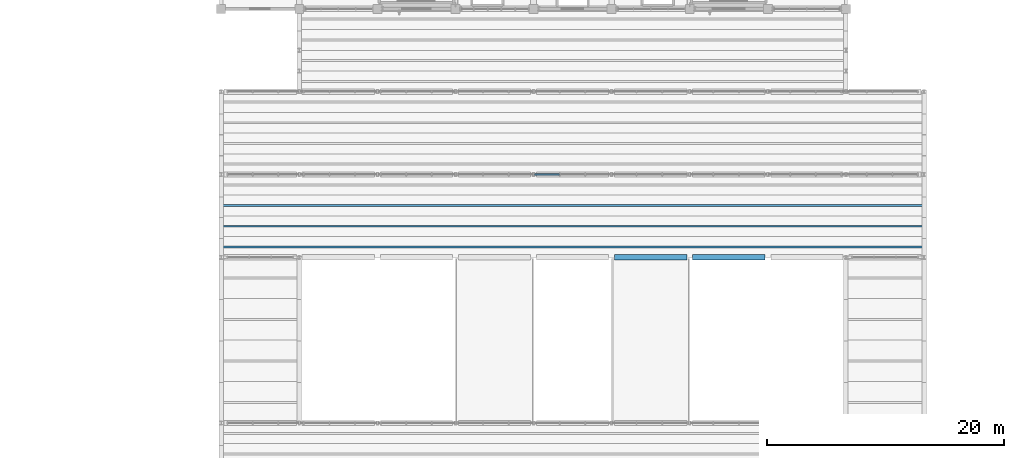
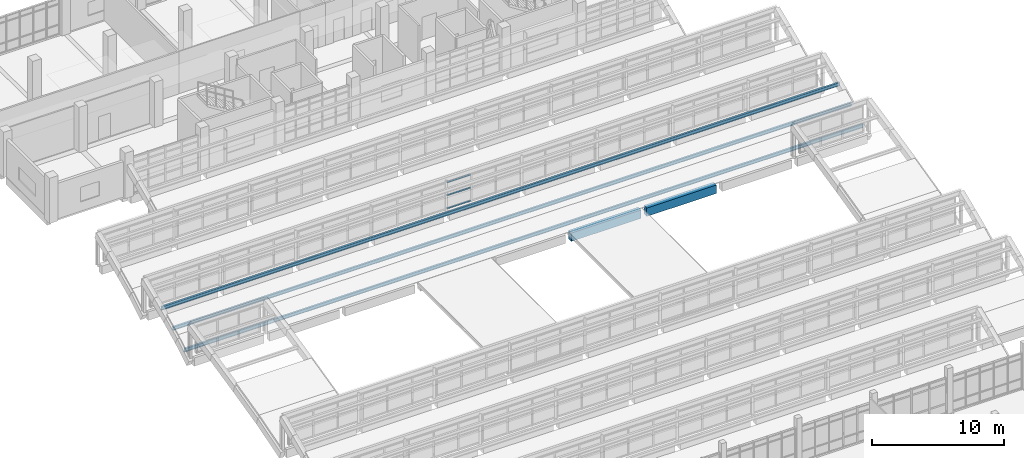
# One storey, part 41 of 92: 6 members, 2 beams, 1 element without a shape of its own.
"""IFC4 building model written with IfcOpenShell, lengths in metres."""

from ifc_helpers import new_model, si_unit, direction, frame, origin, origin_2d, place, context, subcontext, project, spatial, rectangle, i_section, extrude, material, material_profile, profile_set, type_object, element, aggregate, save


model = new_model("IFC4")

# Units and contexts
model_context = context("Model", 3, precision=1e-05, world=origin(), true_north=direction((0.0, 1.0)))
body_context = subcontext(model_context, "Body", "Model", "MODEL_VIEW")
ifc_project = project(units=[si_unit("LENGTHUNIT", "METRE"), si_unit("AREAUNIT", "SQUARE_METRE"), si_unit("VOLUMEUNIT", "CUBIC_METRE"), si_unit("PLANEANGLEUNIT", "RADIAN"), si_unit("MASSUNIT", "GRAM", prefix="KILO")], contexts=[model_context])

# Site, building, storey
site_placement = place(None, origin())
site = spatial("IfcSite", under=ifc_project, at=site_placement, CompositionType="ELEMENT")
building_placement = place(site_placement, origin())
building = spatial("IfcBuilding", under=site, at=building_placement, Name="Ciguamira Faculty of Natural Sciences", CompositionType="ELEMENT")
storey_placement = place(building_placement, frame((0.0, 0.0, 16.800048828125)))
storey = spatial("IfcBuildingStorey", under=building, at=storey_placement, Name="L04", CompositionType="ELEMENT", Elevation=16.800048828125)

# Curtain wall, members
ifc_material_1 = material(Name="Anodized aluminium curtain wall", Category="aluminium")
curtain_wall_type = type_object("IfcCurtainWallType", Name="CurtainWall_CW-07", PredefinedType="USERDEFINED", material=ifc_material_1)
curtain_wall_placement = place(storey_placement, origin())
curtain_wall = element("IfcCurtainWall", 1, at=curtain_wall_placement, inside=storey, type_object=curtain_wall_type, Name="V4 north-light wave 5 clerestory glazing 1", ObjectType="UNITISED CURTAIN WALL", PredefinedType="USERDEFINED")
ifc_material_2 = material(Name="Anodized aluminium transom", Category="aluminium")
ifc_material_profile_1 = material_profile(ifc_material_2, rectangle(XDim=0.070068359375, YDim=0.139892578125, at=origin_2d()), Name="ALU-TRN-70X140")
ifc_profile_set_1 = profile_set([ifc_material_profile_1], Name="Anodized aluminium transom")
member_type_1 = type_object("IfcMemberType", Name="CWTransom_CWT-02", PredefinedType="USERDEFINED", material=ifc_profile_set_1)
member_1_placement = place(storey_placement, frame((83.79052734375, 80.0, 0.284912109375), z_axis=(1.0, 0.0, 0.0), x_axis=(0.0, 0.0, 1.0)))
member_1 = element("IfcMember", 2, at=member_1_placement, type_object=member_type_1, Name="CW-07 transom 13.1", ObjectType="TRANSOM", PredefinedType="USERDEFINED", context=body_context, shape_type="SweptSolid", body=[
    extrude(rectangle(XDim=0.070068359375, YDim=0.139892578125, at=origin_2d()), origin(), (0.0, 0.0, 1.0), 2.093017578125),
])
member_2_placement = place(storey_placement, frame((83.79052734375, 80.0, 1.5), z_axis=(1.0, 0.0, 0.0), x_axis=(0.0, 0.0, 1.0)))
member_2 = element("IfcMember", 3, at=member_2_placement, type_object=member_type_1, Name="CW-07 transom 13.2", ObjectType="TRANSOM", PredefinedType="USERDEFINED", context=body_context, shape_type="SweptSolid", body=[
    extrude(rectangle(XDim=0.070068359375, YDim=0.139892578125, at=origin_2d()), origin(), (0.0, 0.0, 1.0), 2.093017578125),
])
member_3_placement = place(storey_placement, frame((83.79052734375, 80.0, 2.71484375), z_axis=(1.0, 0.0, 0.0), x_axis=(0.0, 0.0, 1.0)))
member_3 = element("IfcMember", 4, at=member_3_placement, type_object=member_type_1, Name="CW-07 transom 13.3", ObjectType="TRANSOM", PredefinedType="USERDEFINED", context=body_context, shape_type="SweptSolid", body=[
    extrude(rectangle(XDim=0.070068359375, YDim=0.139892578125, at=origin_2d()), origin(), (0.0, 0.0, 1.0), 2.093017578125),
])
aggregate(curtain_wall, [member_1, member_2, member_3])

# Beams
ifc_material_3 = material(Name="Concrete C40/50", Category="concrete")
ifc_material_profile_2 = material_profile(ifc_material_3, rectangle(XDim=0.43994140625, YDim=0.780029296875, at=origin_2d()), Name="RC-BM-440X780")
ifc_profile_set_2 = profile_set([ifc_material_profile_2], Name="Concrete C40/50")
beam_type = type_object("IfcBeamType", Name="RCBeam_BG-06_RC-BM-440X780", PredefinedType="BEAM", material=ifc_profile_set_2)
beam_1_placement = place(storey_placement, frame((90.550048828125, 73.0, -0.39013671875), z_axis=(1.0, 0.0, 0.0), x_axis=(0.0, 1.0, 0.0)))
element("IfcBeam", 5, at=beam_1_placement, inside=storey, type_object=beam_type, Name="V4 north-light wave 5 RC valley beam VAL-1-6", PredefinedType="BEAM", context=body_context, shape_type="SweptSolid", body=[
    extrude(rectangle(XDim=0.43994140625, YDim=0.780029296875, at=origin_2d()), origin(), (0.0, 0.0, 1.0), 6.099853515625),
])
beam_2_placement = place(storey_placement, frame((97.14990234375, 73.0, -0.39013671875), z_axis=(1.0, 0.0, 0.0), x_axis=(0.0, 1.0, 0.0)))
element("IfcBeam", 6, at=beam_2_placement, inside=storey, type_object=beam_type, Name="V4 north-light wave 5 RC valley beam VAL-1-7", PredefinedType="BEAM", context=body_context, shape_type="SweptSolid", body=[
    extrude(rectangle(XDim=0.43994140625, YDim=0.780029296875, at=origin_2d()), origin(), (0.0, 0.0, 1.0), 6.10009765625),
])

# Members
ifc_material_4 = material(Name="Steel ASTM A992 Grade 50", Category="steel")
ifc_material_profile_3 = material_profile(ifc_material_4, i_section(OverallWidth=0.164794921875, OverallDepth=0.309814453125, WebThickness=0.005859375, FlangeThickness=0.009765625, at=origin_2d()), Name="W12X26")
ifc_profile_set_3 = profile_set([ifc_material_profile_3], Name="Steel ASTM A992 Grade 50")
member_type_2 = type_object("IfcMemberType", Name="SteelMember_PR-02_W12X26", PredefinedType="PURLIN", material=ifc_profile_set_3)
for number, where, z_axis, x_axis, name in (
    (7, (57.300048828125, 73.875, 0.148193359375), (1.0, 0.0, 0.0), (0.0, 1.0, 0.0), "V4 wave roof steel purlin 5-1-1"),
    (8, (57.300048828125, 75.625, 1.091552734375), (1.0, 0.0, 0.0), (0.0, 1.0, 0.0), "V4 wave roof steel purlin 5-1-2"),
    (9, (57.300048828125, 77.375, 1.8994140625), (1.0, 0.0, 0.0), (0.0, 1.0, 0.0), "V4 wave roof steel purlin 5-1-3"),
):
    element("IfcMember", number, at=place(storey_placement, frame(where, z_axis=z_axis, x_axis=x_axis)), inside=storey, type_object=member_type_2, Name=name, PredefinedType="PURLIN", context=body_context, shape_type="SweptSolid", body=[
        extrude(i_section(OverallWidth=0.164794921875, OverallDepth=0.309814453125, WebThickness=0.005859375, FlangeThickness=0.009765625, at=origin_2d()), origin(), (0.0, 0.0, 1.0), 59.39990234375),
    ])

save(model, "model.ifc")
